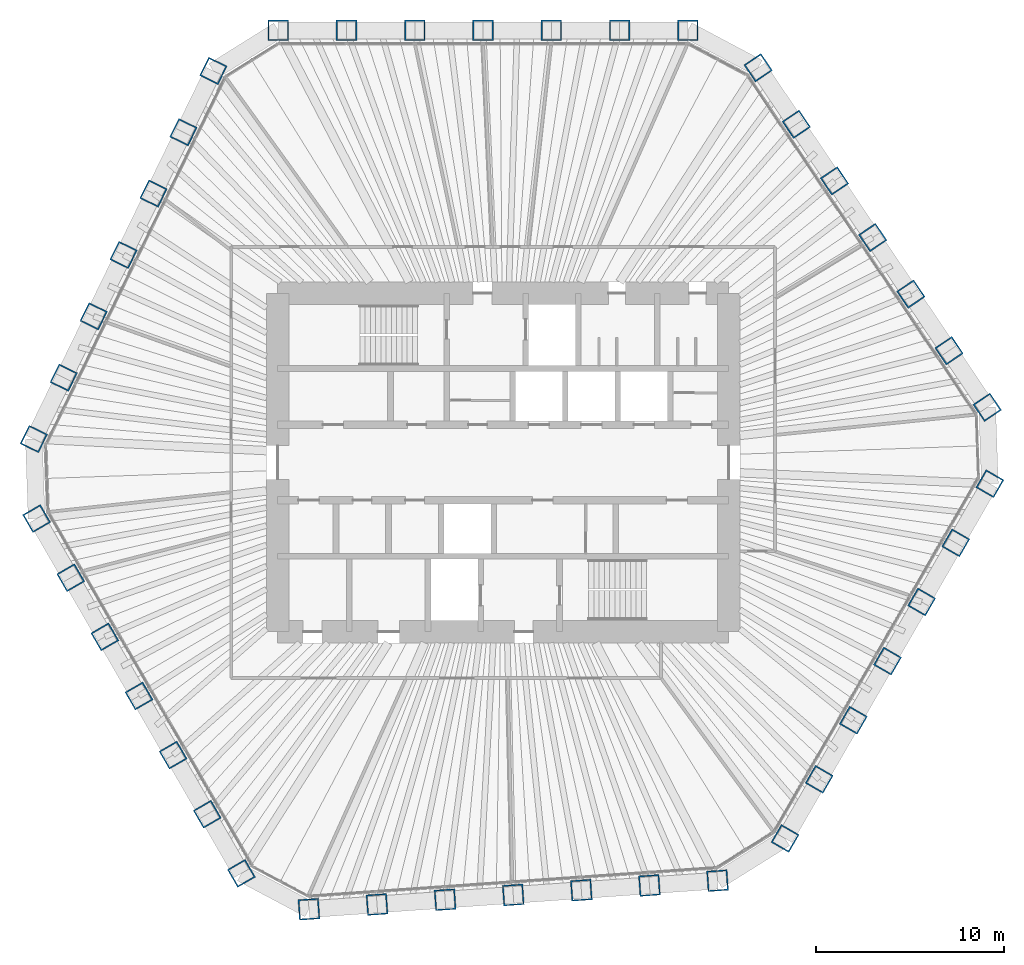
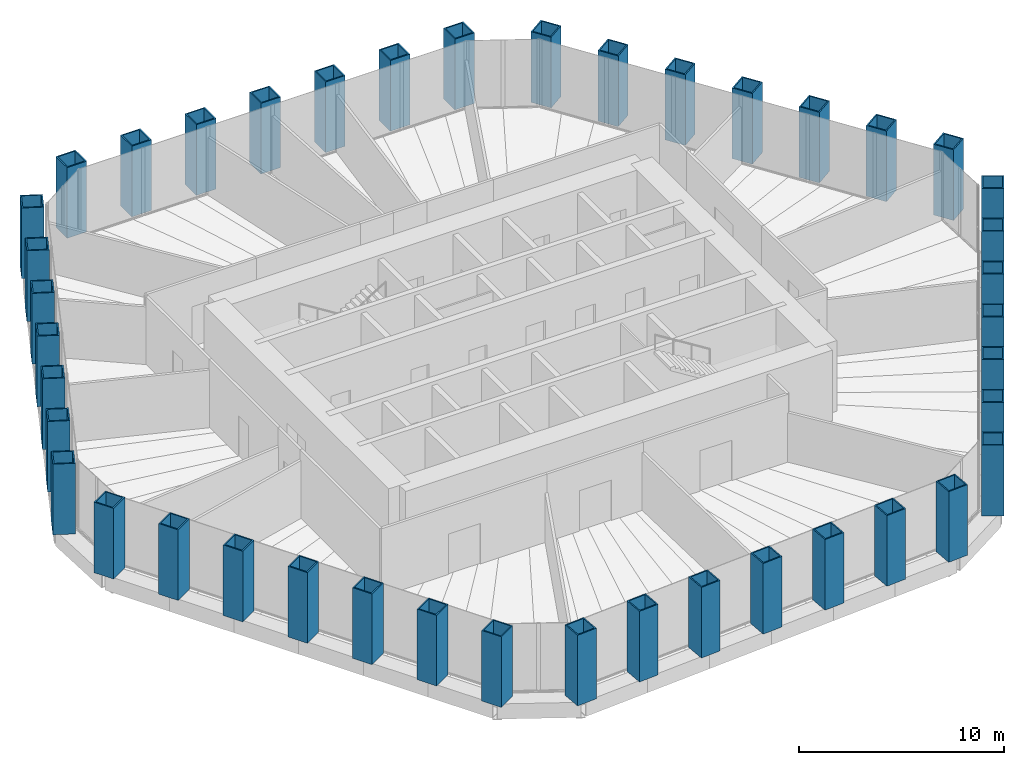
# One storey, part 1 of 14: 42 columns.
"""IFC4 building model written with IfcOpenShell, lengths in metres."""

from ifc_helpers import new_model, si_unit, direction, frame, origin, origin_2d, place, context, subcontext, project, spatial, hollow_rectangle, extrude, material, material_profile, profile_set, type_object, element, save


model = new_model("IFC4")

# Units and contexts
model_context = context("Model", 3, precision=1e-05, world=origin(), true_north=direction((0.0, 1.0)))
body_context = subcontext(model_context, "Body", "Model", "MODEL_VIEW")
ifc_project = project(units=[si_unit("LENGTHUNIT", "METRE"), si_unit("AREAUNIT", "SQUARE_METRE"), si_unit("VOLUMEUNIT", "CUBIC_METRE"), si_unit("PLANEANGLEUNIT", "RADIAN"), si_unit("MASSUNIT", "GRAM", prefix="KILO")], contexts=[model_context])

# Site, building, storey
site_placement = place(None, origin())
site = spatial("IfcSite", under=ifc_project, at=site_placement, CompositionType="ELEMENT")
building_placement = place(site_placement, origin())
building = spatial("IfcBuilding", under=site, at=building_placement, Name="Qingtian Harvest Tower", CompositionType="ELEMENT")
storey_placement = place(building_placement, frame((0.0, 0.0, 201.39990234375)))
storey = spatial("IfcBuildingStorey", under=building, at=storey_placement, Name="L43", CompositionType="ELEMENT", Elevation=201.39990234375)

# Columns
ifc_material = material(Name="Steel SM570MC", Category="steel")
ifc_material_profile = material_profile(ifc_material, hollow_rectangle(XDim=1.10009765625, YDim=1.10009765625, WallThickness=0.070068359375, at=origin_2d()), Name="BOX1100x1100x70")
ifc_profile_set = profile_set([ifc_material_profile], Name="Steel SM570MC")
column_type = type_object("IfcColumnType", Name="Tube column TC5 BOX1100x1100x70", PredefinedType="COLUMN", material=ifc_profile_set)
for number, where, z_axis, x_axis, name in (
    (1, (-11.971923828125, 23.0, 0.0), (0.0, 0.0, 1.0), (-1.0, 0.0, 0.0), "Tube column TC5 N0"),
    (2, (-8.33837890625, 23.0, 0.0), (0.0, 0.0, 1.0), (-1.0, 0.0, 0.0), "Tube column TC5 N1"),
    (3, (-4.704833984375, 23.0, 0.0), (0.0, 0.0, 1.0), (-1.0, 0.0, 0.0), "Tube column TC5 N2"),
    (4, (-1.0712890625, 23.0, 0.0), (0.0, 0.0, 1.0), (-1.0, 0.0, 0.0), "Tube column TC5 N3"),
    (5, (2.562255859375, 23.0, 0.0), (0.0, 0.0, 1.0), (-1.0, 0.0, 0.0), "Tube column TC5 N4"),
    (6, (6.19580078125, 23.0, 0.0), (0.0, 0.0, 1.0), (-1.0, 0.0, 0.0), "Tube column TC5 N5"),
    (7, (9.829345703125, 23.0, 0.0), (0.0, 0.0, 1.0), (-1.0, 0.0, 0.0), "Tube column TC5 N6"),
    (8, (13.5712890625, 21.01025390625, 0.0), (0.0, 0.0, 1.0), (-0.559192903471, 0.829037572555, 0.0), "Tube column TC5 NE0"),
    (9, (15.603271484375, 17.998046875, 0.0), (0.0, 0.0, 1.0), (-0.559192903471, 0.829037572555, 0.0), "Tube column TC5 NE1"),
    (10, (17.635009765625, 14.985595703125, 0.0), (0.0, 0.0, 1.0), (-0.559192903471, 0.829037572555, 0.0), "Tube column TC5 NE2"),
    (11, (19.6669921875, 11.97314453125, 0.0), (0.0, 0.0, 1.0), (-0.559192903471, 0.829037572555, 0.0), "Tube column TC5 NE3"),
    (12, (21.69873046875, 8.9609375, 0.0), (0.0, 0.0, 1.0), (-0.559192903471, 0.829037572555, 0.0), "Tube column TC5 NE4"),
    (13, (23.730712890625, 5.948486328125, 0.0), (0.0, 0.0, 1.0), (-0.559192903471, 0.829037572555, 0.0), "Tube column TC5 NE5"),
    (14, (25.762451171875, 2.936279296875, 0.0), (0.0, 0.0, 1.0), (-0.559192903471, 0.829037572555, 0.0), "Tube column TC5 NE6"),
    (15, (25.904541015625, -1.1318359375, 0.0), (0.0, 0.0, 1.0), (0.5, 0.866025403784, 0.0), "Tube column TC5 SE0"),
    (16, (24.087890625, -4.27880859375, 0.0), (0.0, 0.0, 1.0), (0.5, 0.866025403784, 0.0), "Tube column TC5 SE1"),
    (17, (22.27099609375, -7.425537109375, 0.0), (0.0, 0.0, 1.0), (0.5, 0.866025403784, 0.0), "Tube column TC5 SE2"),
    (18, (20.454345703125, -10.572265625, 0.0), (0.0, 0.0, 1.0), (0.5, 0.866025403784, 0.0), "Tube column TC5 SE3"),
    (19, (18.637451171875, -13.718994140625, 0.0), (0.0, 0.0, 1.0), (0.5, 0.866025403784, 0.0), "Tube column TC5 SE4"),
    (20, (16.82080078125, -16.86572265625, 0.0), (0.0, 0.0, 1.0), (0.5, 0.866025403784, 0.0), "Tube column TC5 SE5"),
    (21, (15.00390625, -20.012451171875, 0.0), (0.0, 0.0, 1.0), (0.5, 0.866025403784, 0.0), "Tube column TC5 SE6"),
    (22, (11.40966796875, -22.25830078125, 0.0), (0.0, 0.0, 1.0), (0.99756405026, 0.069756473744, 0.0), "Tube column TC5 S0"),
    (23, (7.78515625, -22.51171875, 0.0), (0.0, 0.0, 1.0), (0.99756405026, 0.069756473744, 0.0), "Tube column TC5 S1"),
    (24, (4.160400390625, -22.76513671875, 0.0), (0.0, 0.0, 1.0), (0.99756405026, 0.069756473744, 0.0), "Tube column TC5 S2"),
    (25, (0.53564453125, -23.018798828125, 0.0), (0.0, 0.0, 1.0), (0.99756405026, 0.069756473744, 0.0), "Tube column TC5 S3"),
    (26, (-3.089111328125, -23.272216796875, 0.0), (0.0, 0.0, 1.0), (0.99756405026, 0.069756473744, 0.0), "Tube column TC5 S4"),
    (27, (-6.713623046875, -23.525634765625, 0.0), (0.0, 0.0, 1.0), (0.99756405026, 0.069756473744, 0.0), "Tube column TC5 S5"),
    (28, (-10.33837890625, -23.779052734375, 0.0), (0.0, 0.0, 1.0), (0.99756405026, 0.069756473744, 0.0), "Tube column TC5 S6"),
    (29, (-13.9326171875, -21.8681640625, 0.0), (0.0, 0.0, 1.0), (0.5, -0.866025403784, 0.0), "Tube column TC5 SW0"),
    (30, (-15.749267578125, -18.72119140625, 0.0), (0.0, 0.0, 1.0), (0.5, -0.866025403784, 0.0), "Tube column TC5 SW1"),
    (31, (-17.566162109375, -15.574462890625, 0.0), (0.0, 0.0, 1.0), (0.5, -0.866025403784, 0.0), "Tube column TC5 SW2"),
    (32, (-19.3828125, -12.427734375, 0.0), (0.0, 0.0, 1.0), (0.5, -0.866025403784, 0.0), "Tube column TC5 SW3"),
    (33, (-21.19970703125, -9.281005859375, 0.0), (0.0, 0.0, 1.0), (0.5, -0.866025403784, 0.0), "Tube column TC5 SW4"),
    (34, (-23.016357421875, -6.13427734375, 0.0), (0.0, 0.0, 1.0), (0.5, -0.866025403784, 0.0), "Tube column TC5 SW5"),
    (35, (-24.833251953125, -2.987548828125, 0.0), (0.0, 0.0, 1.0), (0.5, -0.866025403784, 0.0), "Tube column TC5 SW6"),
    (36, (-24.981201171875, 1.248046875, 0.0), (0.0, 0.0, 1.0), (-0.438371146789, -0.898794046299, 0.0), "Tube column TC5 NW0"),
    (37, (-23.388427734375, 4.513916015625, 0.0), (0.0, 0.0, 1.0), (-0.438371146789, -0.898794046299, 0.0), "Tube column TC5 NW1"),
    (38, (-21.79541015625, 7.779541015625, 0.0), (0.0, 0.0, 1.0), (-0.438371146789, -0.898794046299, 0.0), "Tube column TC5 NW2"),
    (39, (-20.20263671875, 11.04541015625, 0.0), (0.0, 0.0, 1.0), (-0.438371146789, -0.898794046299, 0.0), "Tube column TC5 NW3"),
    (40, (-18.60986328125, 14.311279296875, 0.0), (0.0, 0.0, 1.0), (-0.438371146789, -0.898794046299, 0.0), "Tube column TC5 NW4"),
    (41, (-17.016845703125, 17.5771484375, 0.0), (0.0, 0.0, 1.0), (-0.438371146789, -0.898794046299, 0.0), "Tube column TC5 NW5"),
    (42, (-15.424072265625, 20.8427734375, 0.0), (0.0, 0.0, 1.0), (-0.438371146789, -0.898794046299, 0.0), "Tube column TC5 NW6"),
):
    element("IfcColumn", number, at=place(storey_placement, frame(where, z_axis=z_axis, x_axis=x_axis)), inside=storey, type_object=column_type, Name=name, PredefinedType="COLUMN", context=body_context, shape_type="SweptSolid", body=[
        extrude(hollow_rectangle(XDim=1.10009765625, YDim=1.10009765625, WallThickness=0.070068359375, at=origin_2d()), origin(), (0.0, 0.0, 1.0), 4.2001953125),
    ])

save(model, "model.ifc")
